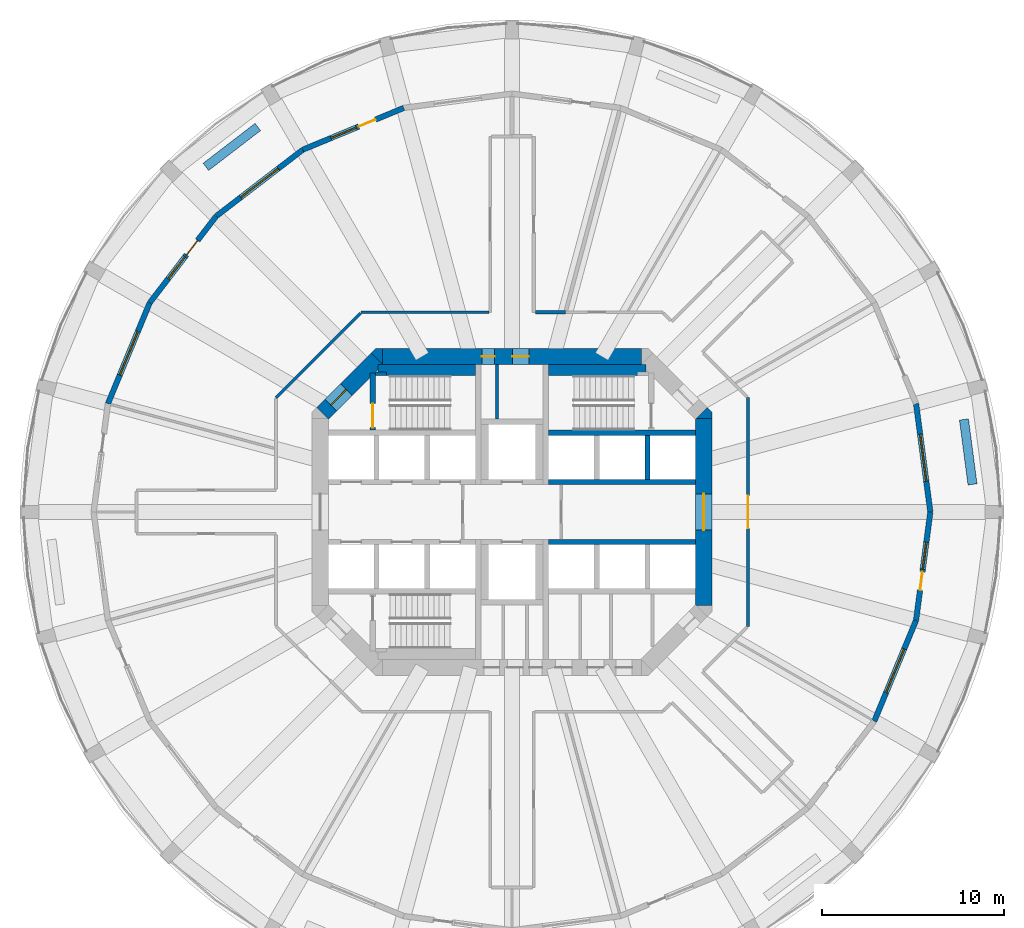
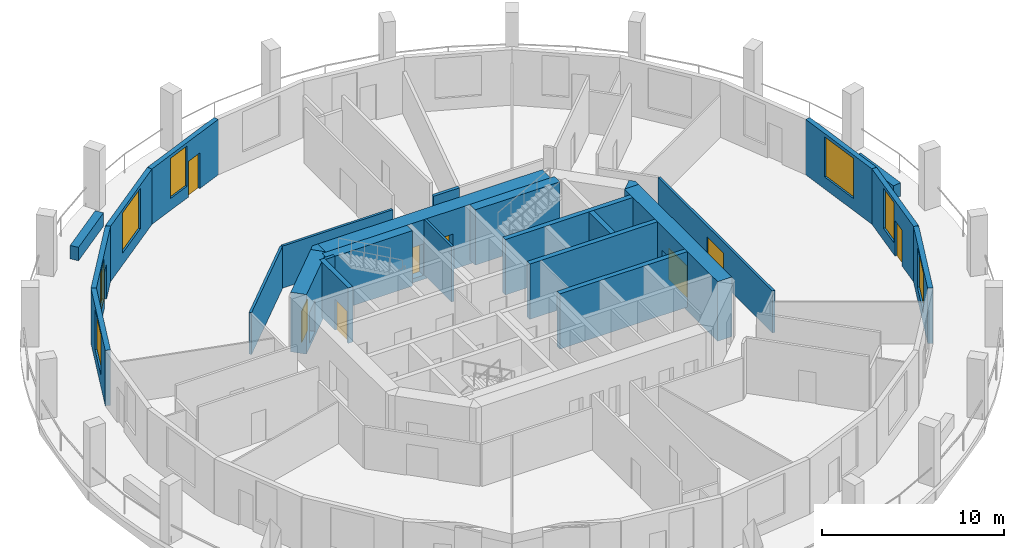
# One storey, part 5 of 9: 27 walls, 9 doors, 7 windows, 16 openings.
"""IFC4 building model written with IfcOpenShell, lengths in metres."""

import ifcopenshell
import ifcopenshell.guid

model = None  # the IFC model being written
_history = None  # IfcOwnerHistory: only IFC2X3 demands one
_inside = {}  # id of a spatial element -> (the spatial element, [elements in it])
_under = {}  # id of a project, library or spatial element -> (it, [spatial elements below it])
_declared = {}  # id of a project -> (the project, [libraries it declares])
_typed = {}  # id of a type object -> (the type object, [elements of that type])
_made_of = {}  # id of a material, layer set ... -> (it, [elements and type objects made of it])


def new_model(schema):
    """Start an empty IFC model of exactly this schema.

    Asked for "IFC4X3", IfcOpenShell would pick the latest addendum, in which some entities
    have other attributes; the version numbers below select the first issue.
    IFC2X3 requires an IfcOwnerHistory on every rooted entity: one is made here for all.
    """
    global model, _history
    if schema == "IFC4X3":
        model = ifcopenshell.file(schema_version=(4, 3, 0, 0))
    else:
        model = ifcopenshell.file(schema=schema)
    _inside.clear()
    _under.clear()
    _declared.clear()
    _typed.clear()
    _made_of.clear()
    _history = None
    if model.schema == "IFC2X3":
        org = make("IfcOrganization", Name="unknown")
        user = make(
            "IfcPersonAndOrganization",
            ThePerson=make("IfcPerson", FamilyName="unknown"),
            TheOrganization=org,
        )
        app = make(
            "IfcApplication",
            ApplicationDeveloper=org,
            Version="unknown",
            ApplicationFullName="unknown",
            ApplicationIdentifier="unknown",
        )
        _history = make(
            "IfcOwnerHistory",
            OwningUser=user,
            OwningApplication=app,
            ChangeAction="ADDED",
            CreationDate=0,
        )
    return model


def make(cls, **values):
    """One entity of the class cls with the attributes given. An attribute that is None is left unset."""
    return model.create_entity(
        cls, **{name: value for name, value in values.items() if value is not None}
    )


def rooted(cls, **values):
    """An entity with a GlobalId (a new one), such as an element, a storey or a relation."""
    return make(cls, GlobalId=ifcopenshell.guid.new(), OwnerHistory=_history, **values)


def si_unit(unit_type, name, prefix=None):
    """IfcSIUnit, for example si_unit("LENGTHUNIT", "METRE", prefix="MILLI")."""
    return make("IfcSIUnit", UnitType=unit_type, Prefix=prefix, Name=name)


def assignment(units):
    """IfcUnitAssignment: the units of a project."""
    return None if units is None else make("IfcUnitAssignment", Units=units)


def point(xyz):
    """IfcCartesianPoint."""
    return None if xyz is None else make("IfcCartesianPoint", Coordinates=xyz)


def direction(xyz):
    """IfcDirection."""
    return None if xyz is None else make("IfcDirection", DirectionRatios=xyz)


def frame(location, z_axis=None, x_axis=None):
    """IfcAxis2Placement3D, a coordinate frame: its origin and axes. An axis left out is left unset."""
    return make(
        "IfcAxis2Placement3D",
        Location=point(location),
        Axis=direction(z_axis),
        RefDirection=direction(x_axis),
    )


def frame_2d(location, x_axis=None):
    """IfcAxis2Placement2D, a coordinate frame in the plane: its origin and x axis."""
    return make(
        "IfcAxis2Placement2D", Location=point(location), RefDirection=direction(x_axis)
    )


def origin():
    """The frame at (0, 0, 0) with its axes left unset."""
    return frame((0.0, 0.0, 0.0))


def place(relative_to, where):
    """IfcLocalPlacement: puts the frame where relative to a parent placement (None: the world)."""
    return make(
        "IfcLocalPlacement", PlacementRelTo=relative_to, RelativePlacement=where
    )


def context(
    kind, dimensions, precision=None, world=None, true_north=None, identifier=None
):
    """IfcGeometricRepresentationContext, for example the 3D "Model" context."""
    return make(
        "IfcGeometricRepresentationContext",
        ContextIdentifier=identifier,
        ContextType=kind,
        CoordinateSpaceDimension=dimensions,
        Precision=precision,
        WorldCoordinateSystem=world,
        TrueNorth=true_north,
    )


def subcontext(parent, identifier, kind, view, scale=None):
    """IfcGeometricRepresentationSubContext, for example "Body" below "Model"."""
    return make(
        "IfcGeometricRepresentationSubContext",
        ContextIdentifier=identifier,
        ContextType=kind,
        ParentContext=parent,
        TargetScale=scale,
        TargetView=view,
    )


def project(units=None, contexts=None):
    """IfcProject with its units and contexts."""
    return rooted(
        "IfcProject",
        Name="project",
        RepresentationContexts=contexts,
        UnitsInContext=assignment(units),
    )


def spatial(cls, under=None, at=None, **own):
    """A site, building, storey or space (cls), placed at a placement, below another one or the project."""
    s = rooted(cls, ObjectPlacement=at, **own)
    if under is not None:
        _under.setdefault(under.id(), (under, []))[1].append(s)
    return s


def polyline(points):
    """IfcPolyline through the points."""
    return make("IfcPolyline", Points=[point(p) for p in points])


def profile(cls, at=None, kind="AREA", **sizes):
    """A parametric profile (cls). Its sizes go by their IFC names, for example OverallWidth=200.0."""
    return make(cls, ProfileType=kind, Position=at, **sizes)


def rectangle(**sizes):
    """IfcRectangleProfileDef."""
    return profile("IfcRectangleProfileDef", **sizes)


def outline(outer, holes=None, kind="AREA"):
    """IfcArbitraryClosedProfileDef: a profile drawn as a closed curve; with holes, ...WithVoids."""
    if holes is None:
        return make("IfcArbitraryClosedProfileDef", ProfileType=kind, OuterCurve=outer)
    return make(
        "IfcArbitraryProfileDefWithVoids",
        ProfileType=kind,
        OuterCurve=outer,
        InnerCurves=holes,
    )


def extrude(swept, where, along, depth):
    """IfcExtrudedAreaSolid: the profile swept, set in the frame where, extruded along a direction by depth."""
    return make(
        "IfcExtrudedAreaSolid",
        SweptArea=swept,
        Position=where,
        ExtrudedDirection=direction(along),
        Depth=depth,
    )


def shape(context_of_items, identifier, shape_type, items):
    """IfcShapeRepresentation: the items that make up one representation, for example the "Body"."""
    return make(
        "IfcShapeRepresentation",
        ContextOfItems=context_of_items,
        RepresentationIdentifier=identifier,
        RepresentationType=shape_type,
        Items=items,
    )


def material(Name=None, Category=None):
    """IfcMaterial."""
    return make("IfcMaterial", Name=Name, Category=Category)


def layer(
    of_material, thickness, ventilated=None, Name=None, Category=None, Priority=None
):
    """IfcMaterialLayer: one layer of a wall or slab, of a material (None: an air gap)."""
    return make(
        "IfcMaterialLayer",
        Material=of_material,
        LayerThickness=thickness,
        IsVentilated=ventilated,
        Name=Name,
        Category=Category,
        Priority=Priority,
    )


def layer_set(layers, Name=None):
    """IfcMaterialLayerSet."""
    return make("IfcMaterialLayerSet", MaterialLayers=layers, LayerSetName=Name)


def made_of(thing, what):
    """Note that an element or type object is made of a material, layer set ...; save() writes the relation."""
    if what is not None:
        _made_of.setdefault(what.id(), (what, []))[1].append(thing)
    return thing


def type_object(cls, material=None, **own):
    """A type object (cls), such as IfcWallType, which elements share."""
    return made_of(rooted(cls, **own), material)


def element(
    cls,
    number,
    at=None,
    inside=None,
    cuts=None,
    type_object=None,
    material=None,
    context=None,
    identifier="Body",
    shape_type=None,
    held_by="IfcProductDefinitionShape",
    body=None,
    shapes=None,
    **own,
):
    """One element of the class cls, such as IfcWall. Its Tag is "e" and its number.

    at: its placement. inside: the storey or other place that contains it. cuts: it is an
    opening in that element (IfcRelVoidsElement). A single representation is given by context,
    identifier, shape_type and body (its items); several are given by shapes. held_by: the class
    of the entity that holds the representations. save() writes the other relations.
    """
    e = rooted(cls, Tag="e%d" % number, ObjectPlacement=at, **own)
    if body is not None:
        shapes = [shape(context, identifier, shape_type, body)]
    if shapes is not None:
        e.Representation = make(held_by, Representations=shapes)
    if inside is not None:
        _inside.setdefault(inside.id(), (inside, []))[1].append(e)
    if cuts is not None:
        rooted(
            "IfcRelVoidsElement", RelatingBuildingElement=cuts, RelatedOpeningElement=e
        )
    if type_object is not None:
        _typed.setdefault(type_object.id(), (type_object, []))[1].append(e)
    return made_of(e, material)


def fill(opening, filler):
    """IfcRelFillsElement: the door or window that sits in an opening."""
    return rooted(
        "IfcRelFillsElement",
        RelatingOpeningElement=opening,
        RelatedBuildingElement=filler,
    )


def aggregate(whole, parts):
    """IfcRelAggregates: a whole, such as a stair, and the parts it consists of."""
    return rooted("IfcRelAggregates", RelatingObject=whole, RelatedObjects=parts)


def save(model, path):
    """Write the relations noted so far, then the file.

    IfcRelAggregates (storeys below a building ...), IfcRelContainedInSpatialStructure (elements
    in a storey), IfcRelDefinesByType, IfcRelAssociatesMaterial and IfcRelDeclares: one each for
    every whole, place, type object, material and project.
    """
    for whole, parts in _under.values():
        aggregate(whole, parts)
    for where, things in _inside.values():
        rooted(
            "IfcRelContainedInSpatialStructure",
            RelatedElements=things,
            RelatingStructure=where,
        )
    for kind, things in _typed.values():
        rooted("IfcRelDefinesByType", RelatedObjects=things, RelatingType=kind)
    for what, things in _made_of.values():
        rooted("IfcRelAssociatesMaterial", RelatedObjects=things, RelatingMaterial=what)
    for by, libraries in _declared.values():
        rooted("IfcRelDeclares", RelatingContext=by, RelatedDefinitions=libraries)
    model.write(path)


model = new_model("IFC4")

# Units and contexts
model_context = context("Model", 3, precision=1e-05, world=origin(), true_north=direction((0.0, 1.0)))
body_context = subcontext(model_context, "Body", "Model", "MODEL_VIEW")
ifc_project = project(units=[si_unit("LENGTHUNIT", "METRE"), si_unit("AREAUNIT", "SQUARE_METRE"), si_unit("VOLUMEUNIT", "CUBIC_METRE"), si_unit("PLANEANGLEUNIT", "RADIAN"), si_unit("MASSUNIT", "GRAM", prefix="KILO")], contexts=[model_context])

# Site, building, storey
site_placement = place(None, origin())
site = spatial("IfcSite", under=ifc_project, at=site_placement, CompositionType="ELEMENT")
building_placement = place(site_placement, origin())
building = spatial("IfcBuilding", under=site, at=building_placement, Name="Torre Triforio", CompositionType="ELEMENT")
storey_placement = place(building_placement, frame((0.0, 0.0, 51.0)))
storey = spatial("IfcBuildingStorey", under=building, at=storey_placement, Name="L10", CompositionType="ELEMENT", Elevation=51.0)

# Wall, openings, doors
ifc_material_1 = material(Name="Concrete C60", Category="concrete")
ifc_layer_1 = layer(ifc_material_1, 0.89990234375)
ifc_layer_set_1 = layer_set([ifc_layer_1], Name="Concrete C60")
wall_type_1 = type_object("IfcWallType", Name="Core wall 900 mm C60 EI 120", PredefinedType="SHEAR", material=ifc_layer_set_1)
wall_1_placement = place(storey_placement, frame((-7.1298828125, 8.550048828125, -0.280029296875), z_axis=(0.0, 0.0, 1.0), x_axis=(1.0, 0.0, 0.0)))
wall_1 = element("IfcWall", 1, at=wall_1_placement, inside=storey, type_object=wall_type_1, Name="Core wall", PredefinedType="SHEAR", context=body_context, shape_type="SweptSolid", body=[
    extrude(rectangle(XDim=14.259765625, YDim=0.89990234375, at=frame_2d((7.1298828125, 0.0))), origin(), (0.0, 0.0, 1.0), 4.0),
])
opening_1_placement = place(wall_1_placement, frame((5.47998046875, 0.0, 0.280029296875)))
opening_1 = element("IfcOpeningElement", 2, at=opening_1_placement, cuts=wall_1, Name="Opening RISER-N", PredefinedType="OPENING", context=body_context, shape_type="SweptSolid", body=[
    extrude(rectangle(XDim=0.699951171875, YDim=2.10009765625, at=frame_2d((0.35009765625, 1.050048828125))), frame((0.0, 0.4599609375, 0.0), z_axis=(0.0, -1.0, 0.0), x_axis=(1.0, 0.0, 0.0)), (0.0, 0.0, 1.0), 0.919921875),
])
opening_2_placement = place(wall_1_placement, frame((7.155029296875, 0.0, 0.280029296875)))
opening_2 = element("IfcOpeningElement", 3, at=opening_2_placement, cuts=wall_1, Name="Opening NE-01", PredefinedType="OPENING", context=body_context, shape_type="SweptSolid", body=[
    extrude(rectangle(XDim=0.89990234375, YDim=2.10009765625, at=frame_2d((0.449951171875, 1.050048828125))), frame((0.0, 0.4599609375, 0.0), z_axis=(0.0, -1.0, 0.0), x_axis=(1.0, 0.0, 0.0)), (0.0, 0.0, 1.0), 0.919921875),
])
ifc_material_2 = material(Name="Hollow metal fire door leaf")
door_type_1 = type_object("IfcDoorType", Name="Riser door 700 x 2100 EI 60", OperationType="NOTDEFINED", PredefinedType="DOOR", material=ifc_material_2)
door_1_placement = place(opening_1_placement, origin())
door_1 = element("IfcDoor", 4, at=door_1_placement, inside=storey, type_object=door_type_1, Name="Core door RISER-N", OperationType="SINGLE_SWING_LEFT", OverallHeight=2.10009765625, OverallWidth=0.699951171875, PredefinedType="DOOR", context=body_context, shape_type="SweptSolid", body=[
    extrude(rectangle(XDim=0.699951171875, YDim=2.10009765625, at=frame_2d((0.35009765625, 1.050048828125))), frame((0.0, 0.02490234375, 0.0), z_axis=(0.0, -1.0, 0.0), x_axis=(1.0, 0.0, 0.0)), (0.0, 0.0, 1.0), 0.050048828125),
])
fill(opening_1, door_1)
door_type_2 = type_object("IfcDoorType", Name="Room door 900 x 2100 EI 60", OperationType="NOTDEFINED", PredefinedType="DOOR", material=ifc_material_2)
door_2_placement = place(opening_2_placement, origin())
door_2 = element("IfcDoor", 5, at=door_2_placement, inside=storey, type_object=door_type_2, Name="Core door NE-01", OperationType="SINGLE_SWING_RIGHT", OverallHeight=2.10009765625, OverallWidth=0.89990234375, PredefinedType="DOOR", context=body_context, shape_type="SweptSolid", body=[
    extrude(rectangle(XDim=0.89990234375, YDim=2.10009765625, at=frame_2d((0.449951171875, 1.050048828125))), frame((0.0, 0.02490234375, 0.0), z_axis=(0.0, -1.0, 0.0), x_axis=(1.0, 0.0, 0.0)), (0.0, 0.0, 1.0), 0.050048828125),
])
fill(opening_2, door_2)

# Wall, opening, door
wall_2_placement = place(storey_placement, frame((10.550048828125, -5.1298828125, -0.280029296875), z_axis=(0.0, 0.0, 1.0), x_axis=(0.0, 1.0, 0.0)))
wall_2 = element("IfcWall", 6, at=wall_2_placement, inside=storey, type_object=wall_type_1, Name="Core wall", PredefinedType="SHEAR", context=body_context, shape_type="SweptSolid", body=[
    extrude(rectangle(XDim=10.259765625, YDim=0.89990234375, at=frame_2d((5.1298828125, 0.0))), origin(), (0.0, 0.0, 1.0), 4.0),
])
opening_3_placement = place(wall_2_placement, frame((4.1298828125, 0.0, 0.280029296875)))
opening_3 = element("IfcOpeningElement", 7, at=opening_3_placement, cuts=wall_2, Name="Opening E-RING", PredefinedType="OPENING", context=body_context, shape_type="SweptSolid", body=[
    extrude(rectangle(XDim=2.0, YDim=2.10009765625, at=frame_2d((1.0, 1.050048828125))), frame((0.0, 0.4599609375, 0.0), z_axis=(0.0, -1.0, 0.0), x_axis=(1.0, 0.0, 0.0)), (0.0, 0.0, 1.0), 0.919921875),
])
door_type_3 = type_object("IfcDoorType", Name="Lobby door 2000 x 2100 EI 60", OperationType="DOUBLE_DOOR_SINGLE_SWING", PredefinedType="DOOR", material=ifc_material_2)
door_3_placement = place(opening_3_placement, origin())
door_3 = element("IfcDoor", 8, at=door_3_placement, inside=storey, type_object=door_type_3, Name="Core door E-RING", OperationType="DOUBLE_DOOR_SINGLE_SWING", OverallHeight=2.10009765625, OverallWidth=2.0, PredefinedType="DOOR", context=body_context, shape_type="SweptSolid", body=[
    extrude(rectangle(XDim=2.0, YDim=2.10009765625, at=frame_2d((1.0, 1.050048828125))), frame((0.0, 0.02490234375, 0.0), z_axis=(0.0, -1.0, 0.0), x_axis=(1.0, 0.0, 0.0)), (0.0, 0.0, 1.0), 0.050048828125),
])
fill(opening_3, door_3)

wall_3_placement = place(storey_placement, frame((-10.418212890625, 5.418212890625, -0.280029296875), z_axis=(0.0, 0.0, 1.0), x_axis=(0.707106781187, 0.707106781187, 0.0)))
wall_3 = element("IfcWall", 9, at=wall_3_placement, inside=storey, type_object=wall_type_1, Name="Core wall", PredefinedType="SHEAR", context=body_context, shape_type="SweptSolid", body=[
    extrude(rectangle(XDim=4.24267578125, YDim=0.89990234375, at=frame_2d((2.121337890625, 0.0))), origin(), (0.0, 0.0, 1.0), 4.0),
])
opening_4_placement = place(wall_3_placement, frame((0.64990234375, 0.0, 0.280029296875)))
opening_4 = element("IfcOpeningElement", 10, at=opening_4_placement, cuts=wall_3, Name="Opening ST1-EXIT", PredefinedType="OPENING", context=body_context, shape_type="SweptSolid", body=[
    extrude(rectangle(XDim=1.199951171875, YDim=2.10009765625, at=frame_2d((0.60009765625, 1.050048828125))), frame((0.0, 0.4599609375, 0.0), z_axis=(0.0, -1.0, 0.0), x_axis=(1.0, 0.0, 0.0)), (0.0, 0.0, 1.0), 0.919921875),
])
door_type_4 = type_object("IfcDoorType", Name="Stair lobby door 1200 x 2100 EI 60", OperationType="NOTDEFINED", PredefinedType="DOOR", material=ifc_material_2)
door_4_placement = place(opening_4_placement, origin())
door_4 = element("IfcDoor", 11, at=door_4_placement, inside=storey, type_object=door_type_4, Name="Core door ST1-EXIT", OperationType="SINGLE_SWING_RIGHT", OverallHeight=2.10009765625, OverallWidth=1.199951171875, PredefinedType="DOOR", context=body_context, shape_type="SweptSolid", body=[
    extrude(rectangle(XDim=1.199951171875, YDim=2.10009765625, at=frame_2d((0.60009765625, 1.050048828125))), frame((0.0, 0.02490234375, 0.0), z_axis=(0.0, -1.0, 0.0), x_axis=(1.0, 0.0, 0.0)), (0.0, 0.0, 1.0), 0.050048828125),
])
fill(opening_4, door_4)

# Walls
wall_4_placement = place(storey_placement, frame((0.0, 0.0, -0.280029296875)))
element("IfcWall", 12, at=wall_4_placement, inside=storey, type_object=wall_type_1, Name="Core wall", PredefinedType="SHEAR", context=body_context, shape_type="SweptSolid", body=[
    extrude(outline(polyline([(11.0, 5.472900390625), (11.0, 5.1298828125), (10.1298828125, 5.1298828125), (10.736328125, 5.736328125), (11.0, 5.472900390625)])), origin(), (0.0, 0.0, 1.0), 4.0),
])
wall_5_placement = place(storey_placement, frame((0.0, 0.0, -0.280029296875)))
element("IfcWall", 13, at=wall_5_placement, inside=storey, type_object=wall_type_1, Name="Core wall", PredefinedType="SHEAR", context=body_context, shape_type="SweptSolid", body=[
    extrude(outline(polyline([(-7.472900390625, 9.0), (-7.1298828125, 9.0), (-7.1298828125, 8.1298828125), (-7.736328125, 8.736328125), (-7.472900390625, 9.0)])), origin(), (0.0, 0.0, 1.0), 4.0),
])
ifc_material_3 = material(Name="Plasterboard on metal studs")
ifc_layer_2 = layer(ifc_material_3, 0.14990234375)
ifc_layer_set_2 = layer_set([ifc_layer_2], Name="Plasterboard on metal studs")
wall_type_2 = type_object("IfcWallType", Name="Corridor and tenancy wall 150 mm EI 60", PredefinedType="PARTITIONING", material=ifc_layer_set_2)
wall_6_placement = place(storey_placement, frame((-12.97509765625, 6.291015625, 0.0), z_axis=(0.0, 0.0, 1.0), x_axis=(0.707125355289, 0.707088206597, 0.0)))
element("IfcWall", 14, at=wall_6_placement, inside=storey, type_object=wall_type_2, Name="Partition 15", PredefinedType="PARTITIONING", context=body_context, shape_type="SweptSolid", body=[
    extrude(rectangle(XDim=6.572021484375, YDim=0.14990234375, at=frame_2d((3.2861328125, 0.0))), origin(), (0.0, 0.0, 1.0), 2.820068359375),
])
wall_7_placement = place(storey_placement, frame((-8.291015625, 10.97509765625, 0.0), z_axis=(0.0, 0.0, 1.0), x_axis=(1.0, 0.0, 0.0)))
element("IfcWall", 15, at=wall_7_placement, inside=storey, type_object=wall_type_2, Name="Partition 16", PredefinedType="PARTITIONING", context=body_context, shape_type="SweptSolid", body=[
    extrude(rectangle(XDim=7.01611328125, YDim=0.14990234375, at=frame_2d((3.508056640625, 0.0))), origin(), (0.0, 0.0, 1.0), 2.820068359375),
])

# Wall, opening, door
wall_8_placement = place(storey_placement, frame((12.97509765625, 6.291015625, 0.0), z_axis=(0.0, 0.0, 1.0), x_axis=(0.0, -1.0, 0.0)))
wall_8 = element("IfcWall", 16, at=wall_8_placement, inside=storey, type_object=wall_type_2, Name="Partition 28", PredefinedType="PARTITIONING", context=body_context, shape_type="SweptSolid", body=[
    extrude(rectangle(XDim=12.58203125, YDim=0.14990234375, at=frame_2d((6.291015625, 0.0))), origin(), (0.0, 0.0, 1.0), 2.820068359375),
])
opening_5_placement = place(wall_8_placement, frame((5.390869140625, 0.0, 0.0)))
opening_5 = element("IfcOpeningElement", 17, at=opening_5_placement, cuts=wall_8, Name="Opening N3-09", PredefinedType="OPENING", context=body_context, shape_type="SweptSolid", body=[
    extrude(rectangle(XDim=1.800048828125, YDim=2.10009765625, at=frame_2d((0.89990234375, 1.050048828125))), frame((0.0, 0.0849609375, 0.0), z_axis=(0.0, -1.0, 0.0), x_axis=(1.0, 0.0, 0.0)), (0.0, 0.0, 1.0), 0.169921875),
])
ifc_material_4 = material(Name="Timber", Category="wood")
door_type_5 = type_object("IfcDoorType", Name="Door 1800 x 2100 double leaf EI 30", OperationType="DOUBLE_DOOR_SINGLE_SWING", PredefinedType="DOOR", material=ifc_material_4)
door_5_placement = place(opening_5_placement, origin())
door_5 = element("IfcDoor", 18, at=door_5_placement, inside=storey, type_object=door_type_5, Name="Door N3-09", OperationType="DOUBLE_DOOR_SINGLE_SWING", OverallHeight=2.10009765625, OverallWidth=1.800048828125, PredefinedType="DOOR", context=body_context, shape_type="SweptSolid", body=[
    extrude(rectangle(XDim=1.800048828125, YDim=2.10009765625, at=frame_2d((0.89990234375, 1.050048828125))), frame((0.0, 0.02490234375, 0.0), z_axis=(0.0, -1.0, 0.0), x_axis=(1.0, 0.0, 0.0)), (0.0, 0.0, 1.0), 0.050048828125),
])
fill(opening_5, door_5)

# Walls
ifc_material_5 = material(Name="Block and board partition")
ifc_layer_3 = layer(ifc_material_5, 0.14990234375)
ifc_layer_set_3 = layer_set([ifc_layer_3], Name="Block and board partition")
wall_type_3 = type_object("IfcWallType", Name="Partition 150 mm EI 120", PredefinedType="PARTITIONING", material=ifc_layer_set_3)
wall_9_placement = place(storey_placement, frame((-0.824951171875, 5.10009765625, 0.0), z_axis=(0.0, 0.0, 1.0), x_axis=(0.0, 1.0, 0.0)))
element("IfcWall", 19, at=wall_9_placement, inside=storey, type_object=wall_type_3, Name="Partition", PredefinedType="PARTITIONING", context=body_context, shape_type="SweptSolid", body=[
    extrude(rectangle(XDim=3.0, YDim=0.14990234375, at=frame_2d((1.5, 0.0))), origin(), (0.0, 0.0, 1.0), 3.719970703125),
])
ifc_material_6 = material(Name="Masonry block", Category="masonry")
ifc_layer_4 = layer(ifc_material_6, 0.199951171875)
ifc_layer_set_4 = layer_set([ifc_layer_4], Name="Masonry block")
wall_type_4 = type_object("IfcWallType", Name="Plant room wall 200 mm block EI 120", PredefinedType="PARTITIONING", material=ifc_layer_set_4)
wall_10_placement = place(storey_placement, frame((1.300048828125, 10.97509765625, 0.0), z_axis=(0.0, 0.0, 1.0), x_axis=(1.0, 0.0, 0.0)))
element("IfcWall", 20, at=wall_10_placement, inside=storey, type_object=wall_type_4, Name="Partition 21", PredefinedType="PARTITIONING", context=body_context, shape_type="SweptSolid", body=[
    extrude(rectangle(XDim=1.640625, YDim=0.199951171875, at=frame_2d((0.8203125, 0.0))), origin(), (0.0, 0.0, 1.0), 2.820068359375),
])
ifc_material_7 = material(Name="Limestone cladding", Category="masonry")
ifc_layer_5 = layer(ifc_material_7, 0.10009765625)
ifc_material_8 = material(Name="Concrete C40", Category="concrete")
ifc_layer_6 = layer(ifc_material_8, 0.39990234375)
ifc_layer_set_5 = layer_set([ifc_layer_5, ifc_layer_6], Name="Limestone cladding / Concrete C40")
wall_type_5 = type_object("IfcWallType", Name="Planter wall 500", PredefinedType="PARAPET", material=ifc_layer_set_5)
wall_11_placement = place(storey_placement, frame((25.318603515625, 1.517578125, 0.0), z_axis=(0.0, 0.0, 1.0), x_axis=(-0.130542222659, 0.991442750795, 0.0)))
element("IfcWall", 21, at=wall_11_placement, inside=storey, type_object=wall_type_5, Name="Planter L10 bay 01", PredefinedType="PARAPET", context=body_context, shape_type="SweptSolid", body=[
    extrude(rectangle(XDim=3.60009765625, YDim=0.5, at=frame_2d((1.800048828125, 0.0))), origin(), (0.0, 0.0, 1.0), 0.89990234375),
])
wall_12_placement = place(storey_placement, frame((-13.9736328125, 21.16748046875, 0.0), z_axis=(0.0, 0.0, 1.0), x_axis=(-0.793359599829, -0.608753271334, 0.0)))
element("IfcWall", 22, at=wall_12_placement, inside=storey, type_object=wall_type_5, Name="Planter L10 bay 09", PredefinedType="PARAPET", context=body_context, shape_type="SweptSolid", body=[
    extrude(rectangle(XDim=3.599853515625, YDim=0.5, at=frame_2d((1.7998046875, 0.0))), origin(), (0.0, 0.0, 1.0), 0.89990234375),
])
ifc_layer_7 = layer(ifc_material_1, 0.300048828125)
ifc_layer_set_6 = layer_set([ifc_layer_7], Name="Concrete C60")
wall_type_6 = type_object("IfcWallType", Name="Shaft wall 300 mm C60 EI 120", PredefinedType="SOLIDWALL", material=ifc_layer_set_6)
for number, where, z_axis, x_axis, name in (
    (23, (2.0, 4.35009765625, 0.0), (0.0, 0.0, 1.0), (1.0, 0.0, 0.0), "Shaft wall"),
    (24, (2.0, 1.64990234375, 0.0), (0.0, 0.0, 1.0), (1.0, 0.0, 0.0), "Shaft wall"),
    (25, (2.0, -1.64990234375, 0.0), (0.0, 0.0, 1.0), (1.0, 0.0, 0.0), "Shaft wall"),
):
    element("IfcWall", number, at=place(storey_placement, frame(where, z_axis=z_axis, x_axis=x_axis)), inside=storey, type_object=wall_type_6, Name=name, PredefinedType="SOLIDWALL", context=body_context, shape_type="SweptSolid", body=[
        extrude(rectangle(XDim=8.10009765625, YDim=0.300048828125, at=frame_2d((4.050048828125, 0.0))), origin(), (0.0, 0.0, 1.0), 3.719970703125),
    ])
wall_13_placement = place(storey_placement, frame((7.449951171875, 1.800048828125, 0.0), z_axis=(0.0, 0.0, 1.0), x_axis=(0.0, 1.0, 0.0)))
element("IfcWall", 26, at=wall_13_placement, inside=storey, type_object=wall_type_6, Name="Shaft wall", PredefinedType="SOLIDWALL", context=body_context, shape_type="SweptSolid", body=[
    extrude(rectangle(XDim=2.39990234375, YDim=0.300048828125, at=frame_2d((1.199951171875, 0.0))), origin(), (0.0, 0.0, 1.0), 3.719970703125),
])
ifc_layer_8 = layer(ifc_material_1, 0.199951171875)
ifc_layer_set_7 = layer_set([ifc_layer_8], Name="Concrete C60")
wall_type_7 = type_object("IfcWallType", Name="Stair wall 200 mm C60 EI 120", PredefinedType="SHEAR", material=ifc_layer_set_7)
wall_14_placement = place(storey_placement, frame((-7.5, 7.60009765625, 0.0), z_axis=(0.0, 0.0, 1.0), x_axis=(1.0, 0.0, 0.0)))
element("IfcWall", 27, at=wall_14_placement, inside=storey, type_object=wall_type_7, Name="Stair wall", PredefinedType="SHEAR", context=body_context, shape_type="SweptSolid", body=[
    extrude(rectangle(XDim=0.60009765625, YDim=0.199951171875, at=frame_2d((0.300048828125, 0.0))), origin(), (0.0, 0.0, 1.0), 3.719970703125),
])

# Wall, opening, door
ifc_layer_9 = layer(ifc_material_1, 0.300048828125)
ifc_layer_set_8 = layer_set([ifc_layer_9], Name="Concrete C60")
wall_type_8 = type_object("IfcWallType", Name="Stair wall 300 mm C60 EI 120", PredefinedType="SHEAR", material=ifc_layer_set_8)
wall_15_placement = place(storey_placement, frame((-7.64990234375, 4.5, 0.0), z_axis=(0.0, 0.0, 1.0), x_axis=(0.0, 1.0, 0.0)))
wall_15 = element("IfcWall", 28, at=wall_15_placement, inside=storey, type_object=wall_type_8, Name="Stair wall", PredefinedType="SHEAR", context=body_context, shape_type="SweptSolid", body=[
    extrude(rectangle(XDim=3.139892578125, YDim=0.300048828125, at=frame_2d((1.56982421875, 0.0))), origin(), (0.0, 0.0, 1.0), 3.719970703125),
])
opening_6_placement = place(wall_15_placement, frame((0.139892578125, 0.0, 0.0)))
opening_6 = element("IfcOpeningElement", 29, at=opening_6_placement, cuts=wall_15, Name="Opening ST1-STA", PredefinedType="OPENING", context=body_context, shape_type="SweptSolid", body=[
    extrude(rectangle(XDim=1.320068359375, YDim=2.10009765625, at=frame_2d((0.66015625, 1.050048828125))), frame((0.0, 0.159912109375, 0.0), z_axis=(0.0, -1.0, 0.0), x_axis=(1.0, 0.0, 0.0)), (0.0, 0.0, 1.0), 0.320068359375),
])
door_type_6 = type_object("IfcDoorType", Name="Stair door 1320 x 2100 EI 90", OperationType="DOUBLE_DOOR_SINGLE_SWING", PredefinedType="DOOR", material=ifc_material_2)
door_6_placement = place(opening_6_placement, origin())
door_6 = element("IfcDoor", 30, at=door_6_placement, inside=storey, type_object=door_type_6, Name="Core door ST1-ST", OperationType="DOUBLE_DOOR_SINGLE_SWING", OverallHeight=2.10009765625, OverallWidth=1.320068359375, PredefinedType="DOOR", context=body_context, shape_type="SweptSolid", body=[
    extrude(rectangle(XDim=1.320068359375, YDim=2.10009765625, at=frame_2d((0.66015625, 1.050048828125))), frame((0.0, 0.02490234375, 0.0), z_axis=(0.0, -1.0, 0.0), x_axis=(1.0, 0.0, 0.0)), (0.0, 0.0, 1.0), 0.050048828125),
])
fill(opening_6, door_6)

# Walls
ifc_layer_10 = layer(ifc_material_1, 0.60009765625)
ifc_layer_set_9 = layer_set([ifc_layer_10], Name="Concrete C60")
wall_type_9 = type_object("IfcWallType", Name="Stair wall 600 mm C60 EI 120", PredefinedType="SHEAR", material=ifc_layer_set_9)
for number, where, z_axis, x_axis, name in (
    (31, (-7.3701171875, 7.800048828125, 0.0), (0.0, 0.0, 1.0), (1.0, 0.0, 0.0), "Stair wall"),
    (32, (2.0, 7.800048828125, 0.0), (0.0, 0.0, 1.0), (1.0, 0.0, 0.0), "Stair wall"),
):
    element("IfcWall", number, at=place(storey_placement, frame(where, z_axis=z_axis, x_axis=x_axis)), inside=storey, type_object=wall_type_9, Name=name, PredefinedType="SHEAR", context=body_context, shape_type="SweptSolid", body=[
        extrude(rectangle(XDim=5.3701171875, YDim=0.60009765625, at=frame_2d((2.68505859375, 0.0))), origin(), (0.0, 0.0, 1.0), 3.719970703125),
    ])

# Wall, opening, window
ifc_layer_11 = layer(ifc_material_7, 0.10009765625)
ifc_layer_12 = layer(ifc_material_8, 0.199951171875)
ifc_layer_set_10 = layer_set([ifc_layer_11, ifc_layer_12], Name="Limestone cladding / Concrete C40")
wall_type_10 = type_object("IfcWallType", Name="Stone-faced composite wall 300", PredefinedType="STANDARD", material=ifc_layer_set_10)
wall_16_placement = place(storey_placement, frame((23.0, 0.0, 0.0), z_axis=(0.0, 0.0, 1.0), x_axis=(-0.130522880875, 0.991445297315, 0.0)))
wall_16 = element("IfcWall", 33, at=wall_16_placement, inside=storey, type_object=wall_type_10, Name="External wall L10 bay 01", PredefinedType="STANDARD", context=body_context, shape_type="SweptSolid", body=[
    extrude(rectangle(XDim=6.004150390625, YDim=0.300048828125, at=frame_2d((3.001953125, 0.0))), origin(), (0.0, 0.0, 1.0), 3.719970703125),
])
opening_7_placement = place(wall_16_placement, frame((1.7021484375, 0.0, 0.800048828125)))
opening_7 = element("IfcOpeningElement", 34, at=opening_7_placement, cuts=wall_16, Name="Opening N3-W01", PredefinedType="OPENING", context=body_context, shape_type="SweptSolid", body=[
    extrude(rectangle(XDim=2.60009765625, YDim=2.699951171875, at=frame_2d((1.300048828125, 1.35009765625))), frame((0.0, 0.159912109375, 0.0), z_axis=(0.0, -1.0, 0.0), x_axis=(1.0, 0.0, 0.0)), (0.0, 0.0, 1.0), 0.320068359375),
])
ifc_material_9 = material(Name="Aluminium frame with clear double glazing", Category="aluminium")
window_type_1 = type_object("IfcWindowType", Name="Punched window 2600 x 2700", PartitioningType="DOUBLE_PANEL_VERTICAL", PredefinedType="WINDOW", material=ifc_material_9)
window_1_placement = place(opening_7_placement, origin())
window_1 = element("IfcWindow", 35, at=window_1_placement, inside=storey, type_object=window_type_1, Name="Window EWN2 L10 bay 01", OverallHeight=2.699951171875, OverallWidth=2.60009765625, PartitioningType="SINGLE_PANEL", PredefinedType="WINDOW", context=body_context, shape_type="SweptSolid", body=[
    extrude(rectangle(XDim=2.60009765625, YDim=2.699951171875, at=frame_2d((1.300048828125, 1.35009765625))), frame((0.0, 0.030029296875, 0.0), z_axis=(0.0, -1.0, 0.0), x_axis=(1.0, 0.0, 0.0)), (0.0, 0.0, 1.0), 0.06005859375),
])
fill(opening_7, window_1)

# Wall, openings, door, window
wall_17_placement = place(storey_placement, frame((-5.952880859375, 22.21630859375, 0.0), z_axis=(0.0, 0.0, 1.0), x_axis=(-0.923884511653, -0.382671411433, 0.0)))
wall_17 = element("IfcWall", 36, at=wall_17_placement, inside=storey, type_object=wall_type_10, Name="External wall L10 bay 08", PredefinedType="STANDARD", context=body_context, shape_type="SweptSolid", body=[
    extrude(rectangle(XDim=6.004150390625, YDim=0.300048828125, at=frame_2d((3.001953125, 0.0))), origin(), (0.0, 0.0, 1.0), 3.719970703125),
])
opening_8_placement = place(wall_17_placement, frame((1.677001953125, 0.0, 0.0)))
opening_8 = element("IfcOpeningElement", 37, at=opening_8_placement, cuts=wall_17, Name="Opening N3-D08", PredefinedType="OPENING", context=body_context, shape_type="SweptSolid", body=[
    extrude(rectangle(XDim=1.0, YDim=2.39990234375, at=frame_2d((0.5, 1.199951171875))), frame((0.0, 0.159912109375, 0.0), z_axis=(0.0, -1.0, 0.0), x_axis=(1.0, 0.0, 0.0)), (0.0, 0.0, 1.0), 0.320068359375),
])
opening_9_placement = place(wall_17_placement, frame((2.8271484375, 0.0, 0.800048828125)))
opening_9 = element("IfcOpeningElement", 38, at=opening_9_placement, cuts=wall_17, Name="Opening N3-W08A", PredefinedType="OPENING", context=body_context, shape_type="SweptSolid", body=[
    extrude(rectangle(XDim=1.5, YDim=2.699951171875, at=frame_2d((0.75, 1.35009765625))), frame((0.0, 0.159912109375, 0.0), z_axis=(0.0, -1.0, 0.0), x_axis=(1.0, 0.0, 0.0)), (0.0, 0.0, 1.0), 0.320068359375),
])
door_type_7 = type_object("IfcDoorType", Name="Loggia door 1000 x 2400", OperationType="NOTDEFINED", PredefinedType="DOOR", material=ifc_material_9)
door_7_placement = place(opening_8_placement, origin())
door_7 = element("IfcDoor", 39, at=door_7_placement, inside=storey, type_object=door_type_7, Name="Loggia door L10 bay 08", OperationType="SINGLE_SWING_LEFT", OverallHeight=2.39990234375, OverallWidth=1.0, PredefinedType="DOOR", context=body_context, shape_type="SweptSolid", body=[
    extrude(rectangle(XDim=1.0, YDim=2.39990234375, at=frame_2d((0.5, 1.199951171875))), frame((0.0, 0.02490234375, 0.0), z_axis=(0.0, -1.0, 0.0), x_axis=(1.0, 0.0, 0.0)), (0.0, 0.0, 1.0), 0.050048828125),
])
fill(opening_8, door_7)
window_type_2 = type_object("IfcWindowType", Name="Side window 1500 x 2700", PartitioningType="SINGLE_PANEL", PredefinedType="WINDOW", material=ifc_material_9)
window_2_placement = place(opening_9_placement, origin())
window_2 = element("IfcWindow", 40, at=window_2_placement, inside=storey, type_object=window_type_2, Name="Side window EWN12 L10 bay 08", OverallHeight=2.699951171875, OverallWidth=1.5, PartitioningType="SINGLE_PANEL", PredefinedType="WINDOW", context=body_context, shape_type="SweptSolid", body=[
    extrude(rectangle(XDim=1.5, YDim=2.699951171875, at=frame_2d((0.75, 1.35009765625))), frame((0.0, 0.030029296875, 0.0), z_axis=(0.0, -1.0, 0.0), x_axis=(1.0, 0.0, 0.0)), (0.0, 0.0, 1.0), 0.06005859375),
])
fill(opening_9, window_2)

# Wall, opening, window
wall_18_placement = place(storey_placement, frame((-11.5, 19.918701171875, 0.0), z_axis=(0.0, 0.0, 1.0), x_axis=(-0.793339924758, -0.608778912074, 0.0)))
wall_18 = element("IfcWall", 41, at=wall_18_placement, inside=storey, type_object=wall_type_10, Name="External wall L10 bay 09", PredefinedType="STANDARD", context=body_context, shape_type="SweptSolid", body=[
    extrude(rectangle(XDim=6.004150390625, YDim=0.300048828125, at=frame_2d((3.001953125, 0.0))), origin(), (0.0, 0.0, 1.0), 3.719970703125),
])
opening_10_placement = place(wall_18_placement, frame((1.7021484375, 0.0, 0.800048828125)))
opening_10 = element("IfcOpeningElement", 42, at=opening_10_placement, cuts=wall_18, Name="Opening N3-W09", PredefinedType="OPENING", context=body_context, shape_type="SweptSolid", body=[
    extrude(rectangle(XDim=2.60009765625, YDim=2.699951171875, at=frame_2d((1.300048828125, 1.35009765625))), frame((0.0, 0.159912109375, 0.0), z_axis=(0.0, -1.0, 0.0), x_axis=(1.0, 0.0, 0.0)), (0.0, 0.0, 1.0), 0.320068359375),
])
window_3_placement = place(opening_10_placement, origin())
window_3 = element("IfcWindow", 43, at=window_3_placement, inside=storey, type_object=window_type_1, Name="Window EWN2 L10 bay 09", OverallHeight=2.699951171875, OverallWidth=2.60009765625, PartitioningType="SINGLE_PANEL", PredefinedType="WINDOW", context=body_context, shape_type="SweptSolid", body=[
    extrude(rectangle(XDim=2.60009765625, YDim=2.699951171875, at=frame_2d((1.300048828125, 1.35009765625))), frame((0.0, 0.030029296875, 0.0), z_axis=(0.0, -1.0, 0.0), x_axis=(1.0, 0.0, 0.0)), (0.0, 0.0, 1.0), 0.06005859375),
])
fill(opening_10, window_3)

# Wall, openings, door, window
wall_19_placement = place(storey_placement, frame((-16.263427734375, 16.263427734375, 0.0), z_axis=(0.0, 0.0, 1.0), x_axis=(-0.608778912074, -0.793339924758, 0.0)))
wall_19 = element("IfcWall", 44, at=wall_19_placement, inside=storey, type_object=wall_type_10, Name="External wall L10 bay 10", PredefinedType="STANDARD", context=body_context, shape_type="SweptSolid", body=[
    extrude(rectangle(XDim=6.004150390625, YDim=0.300048828125, at=frame_2d((3.001953125, 0.0))), origin(), (0.0, 0.0, 1.0), 3.719970703125),
])
opening_11_placement = place(wall_19_placement, frame((1.677001953125, 0.0, 0.0)))
opening_11 = element("IfcOpeningElement", 45, at=opening_11_placement, cuts=wall_19, Name="Opening N3-D10", PredefinedType="OPENING", context=body_context, shape_type="SweptSolid", body=[
    extrude(rectangle(XDim=1.0, YDim=2.39990234375, at=frame_2d((0.5, 1.199951171875))), frame((0.0, 0.159912109375, 0.0), z_axis=(0.0, -1.0, 0.0), x_axis=(1.0, 0.0, 0.0)), (0.0, 0.0, 1.0), 0.320068359375),
])
opening_12_placement = place(wall_19_placement, frame((2.8271484375, 0.0, 0.800048828125)))
opening_12 = element("IfcOpeningElement", 46, at=opening_12_placement, cuts=wall_19, Name="Opening N3-W10A", PredefinedType="OPENING", context=body_context, shape_type="SweptSolid", body=[
    extrude(rectangle(XDim=1.5, YDim=2.699951171875, at=frame_2d((0.75, 1.35009765625))), frame((0.0, 0.159912109375, 0.0), z_axis=(0.0, -1.0, 0.0), x_axis=(1.0, 0.0, 0.0)), (0.0, 0.0, 1.0), 0.320068359375),
])
door_8_placement = place(opening_11_placement, origin())
door_8 = element("IfcDoor", 47, at=door_8_placement, inside=storey, type_object=door_type_7, Name="Loggia door L10 bay 10", OperationType="SINGLE_SWING_LEFT", OverallHeight=2.39990234375, OverallWidth=1.0, PredefinedType="DOOR", context=body_context, shape_type="SweptSolid", body=[
    extrude(rectangle(XDim=1.0, YDim=2.39990234375, at=frame_2d((0.5, 1.199951171875))), frame((0.0, 0.02490234375, 0.0), z_axis=(0.0, -1.0, 0.0), x_axis=(1.0, 0.0, 0.0)), (0.0, 0.0, 1.0), 0.050048828125),
])
fill(opening_11, door_8)
window_4_placement = place(opening_12_placement, origin())
window_4 = element("IfcWindow", 48, at=window_4_placement, inside=storey, type_object=window_type_2, Name="Side window EWN12 L10 bay 10", OverallHeight=2.699951171875, OverallWidth=1.5, PartitioningType="SINGLE_PANEL", PredefinedType="WINDOW", context=body_context, shape_type="SweptSolid", body=[
    extrude(rectangle(XDim=1.5, YDim=2.699951171875, at=frame_2d((0.75, 1.35009765625))), frame((0.0, 0.030029296875, 0.0), z_axis=(0.0, -1.0, 0.0), x_axis=(1.0, 0.0, 0.0)), (0.0, 0.0, 1.0), 0.06005859375),
])
fill(opening_12, window_4)

# Wall, opening, window
wall_20_placement = place(storey_placement, frame((-19.918701171875, 11.5, 0.0), z_axis=(0.0, 0.0, 1.0), x_axis=(-0.382671411433, -0.923884511653, 0.0)))
wall_20 = element("IfcWall", 49, at=wall_20_placement, inside=storey, type_object=wall_type_10, Name="External wall L10 bay 11", PredefinedType="STANDARD", context=body_context, shape_type="SweptSolid", body=[
    extrude(rectangle(XDim=6.004150390625, YDim=0.300048828125, at=frame_2d((3.001953125, 0.0))), origin(), (0.0, 0.0, 1.0), 3.719970703125),
])
opening_13_placement = place(wall_20_placement, frame((1.7021484375, 0.0, 0.800048828125)))
opening_13 = element("IfcOpeningElement", 50, at=opening_13_placement, cuts=wall_20, Name="Opening N3-W11", PredefinedType="OPENING", context=body_context, shape_type="SweptSolid", body=[
    extrude(rectangle(XDim=2.60009765625, YDim=2.699951171875, at=frame_2d((1.300048828125, 1.35009765625))), frame((0.0, 0.159912109375, 0.0), z_axis=(0.0, -1.0, 0.0), x_axis=(1.0, 0.0, 0.0)), (0.0, 0.0, 1.0), 0.320068359375),
])
window_5_placement = place(opening_13_placement, origin())
window_5 = element("IfcWindow", 51, at=window_5_placement, inside=storey, type_object=window_type_1, Name="Window EWN2 L10 bay 11", OverallHeight=2.699951171875, OverallWidth=2.60009765625, PartitioningType="SINGLE_PANEL", PredefinedType="WINDOW", context=body_context, shape_type="SweptSolid", body=[
    extrude(rectangle(XDim=2.60009765625, YDim=2.699951171875, at=frame_2d((1.300048828125, 1.35009765625))), frame((0.0, 0.030029296875, 0.0), z_axis=(0.0, -1.0, 0.0), x_axis=(1.0, 0.0, 0.0)), (0.0, 0.0, 1.0), 0.06005859375),
])
fill(opening_13, window_5)

wall_21_placement = place(storey_placement, frame((19.918701171875, -11.5, 0.0), z_axis=(0.0, 0.0, 1.0), x_axis=(0.382671411433, 0.923884511653, 0.0)))
wall_21 = element("IfcWall", 52, at=wall_21_placement, inside=storey, type_object=wall_type_10, Name="External wall L10 bay 23", PredefinedType="STANDARD", context=body_context, shape_type="SweptSolid", body=[
    extrude(rectangle(XDim=6.004150390625, YDim=0.300048828125, at=frame_2d((3.001953125, 0.0))), origin(), (0.0, 0.0, 1.0), 3.719970703125),
])
opening_14_placement = place(wall_21_placement, frame((1.7021484375, 0.0, 0.800048828125)))
opening_14 = element("IfcOpeningElement", 53, at=opening_14_placement, cuts=wall_21, Name="Opening N3-W23", PredefinedType="OPENING", context=body_context, shape_type="SweptSolid", body=[
    extrude(rectangle(XDim=2.60009765625, YDim=2.699951171875, at=frame_2d((1.300048828125, 1.35009765625))), frame((0.0, 0.159912109375, 0.0), z_axis=(0.0, -1.0, 0.0), x_axis=(1.0, 0.0, 0.0)), (0.0, 0.0, 1.0), 0.320068359375),
])
window_6_placement = place(opening_14_placement, origin())
window_6 = element("IfcWindow", 54, at=window_6_placement, inside=storey, type_object=window_type_1, Name="Window EWN2 L10 bay 23", OverallHeight=2.699951171875, OverallWidth=2.60009765625, PartitioningType="SINGLE_PANEL", PredefinedType="WINDOW", context=body_context, shape_type="SweptSolid", body=[
    extrude(rectangle(XDim=2.60009765625, YDim=2.699951171875, at=frame_2d((1.300048828125, 1.35009765625))), frame((0.0, 0.030029296875, 0.0), z_axis=(0.0, -1.0, 0.0), x_axis=(1.0, 0.0, 0.0)), (0.0, 0.0, 1.0), 0.06005859375),
])
fill(opening_14, window_6)

# Wall, openings, door, window
wall_22_placement = place(storey_placement, frame((22.21630859375, -5.952880859375, 0.0), z_axis=(0.0, 0.0, 1.0), x_axis=(0.130522880875, 0.991445297315, 0.0)))
wall_22 = element("IfcWall", 55, at=wall_22_placement, inside=storey, type_object=wall_type_10, Name="External wall L10 bay 24", PredefinedType="STANDARD", context=body_context, shape_type="SweptSolid", body=[
    extrude(rectangle(XDim=6.004150390625, YDim=0.300048828125, at=frame_2d((3.001953125, 0.0))), origin(), (0.0, 0.0, 1.0), 3.719970703125),
])
opening_15_placement = place(wall_22_placement, frame((1.677001953125, 0.0, 0.0)))
opening_15 = element("IfcOpeningElement", 56, at=opening_15_placement, cuts=wall_22, Name="Opening N3-D24", PredefinedType="OPENING", context=body_context, shape_type="SweptSolid", body=[
    extrude(rectangle(XDim=1.0, YDim=2.39990234375, at=frame_2d((0.5, 1.199951171875))), frame((0.0, 0.159912109375, 0.0), z_axis=(0.0, -1.0, 0.0), x_axis=(1.0, 0.0, 0.0)), (0.0, 0.0, 1.0), 0.320068359375),
])
opening_16_placement = place(wall_22_placement, frame((2.8271484375, 0.0, 0.800048828125)))
opening_16 = element("IfcOpeningElement", 57, at=opening_16_placement, cuts=wall_22, Name="Opening N3-W24A", PredefinedType="OPENING", context=body_context, shape_type="SweptSolid", body=[
    extrude(rectangle(XDim=1.5, YDim=2.699951171875, at=frame_2d((0.75, 1.35009765625))), frame((0.0, 0.159912109375, 0.0), z_axis=(0.0, -1.0, 0.0), x_axis=(1.0, 0.0, 0.0)), (0.0, 0.0, 1.0), 0.320068359375),
])
door_9_placement = place(opening_15_placement, origin())
door_9 = element("IfcDoor", 58, at=door_9_placement, inside=storey, type_object=door_type_7, Name="Loggia door L10 bay 24", OperationType="SINGLE_SWING_LEFT", OverallHeight=2.39990234375, OverallWidth=1.0, PredefinedType="DOOR", context=body_context, shape_type="SweptSolid", body=[
    extrude(rectangle(XDim=1.0, YDim=2.39990234375, at=frame_2d((0.5, 1.199951171875))), frame((0.0, 0.02490234375, 0.0), z_axis=(0.0, -1.0, 0.0), x_axis=(1.0, 0.0, 0.0)), (0.0, 0.0, 1.0), 0.050048828125),
])
fill(opening_15, door_9)
window_7_placement = place(opening_16_placement, origin())
window_7 = element("IfcWindow", 59, at=window_7_placement, inside=storey, type_object=window_type_2, Name="Side window EWN12 L10 bay 24", OverallHeight=2.699951171875, OverallWidth=1.5, PartitioningType="SINGLE_PANEL", PredefinedType="WINDOW", context=body_context, shape_type="SweptSolid", body=[
    extrude(rectangle(XDim=1.5, YDim=2.699951171875, at=frame_2d((0.75, 1.35009765625))), frame((0.0, 0.030029296875, 0.0), z_axis=(0.0, -1.0, 0.0), x_axis=(1.0, 0.0, 0.0)), (0.0, 0.0, 1.0), 0.06005859375),
])
fill(opening_16, window_7)

save(model, "model.ifc")
